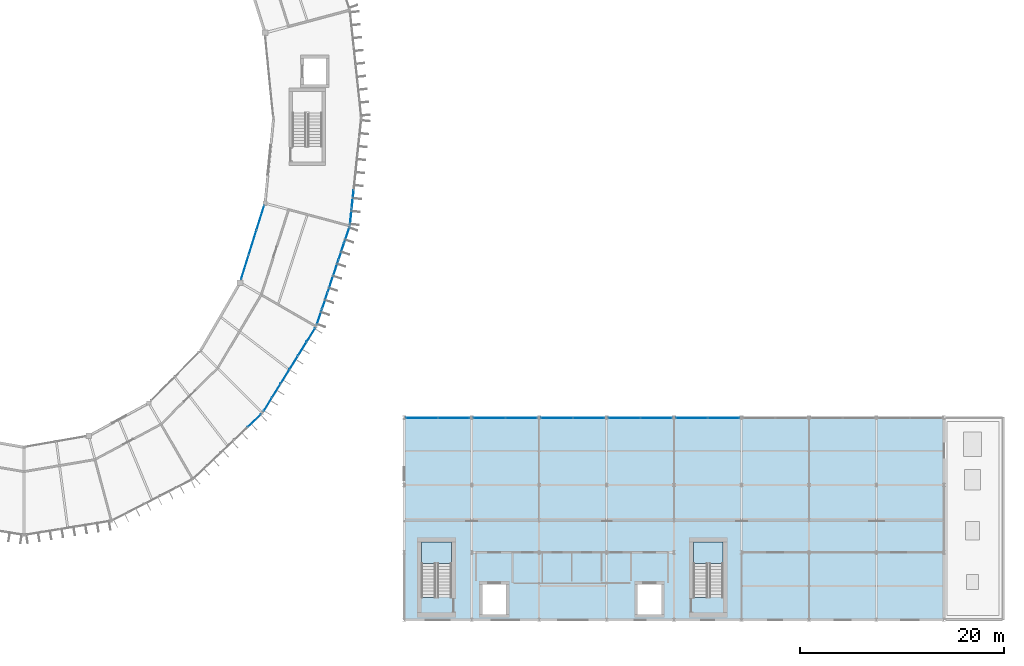
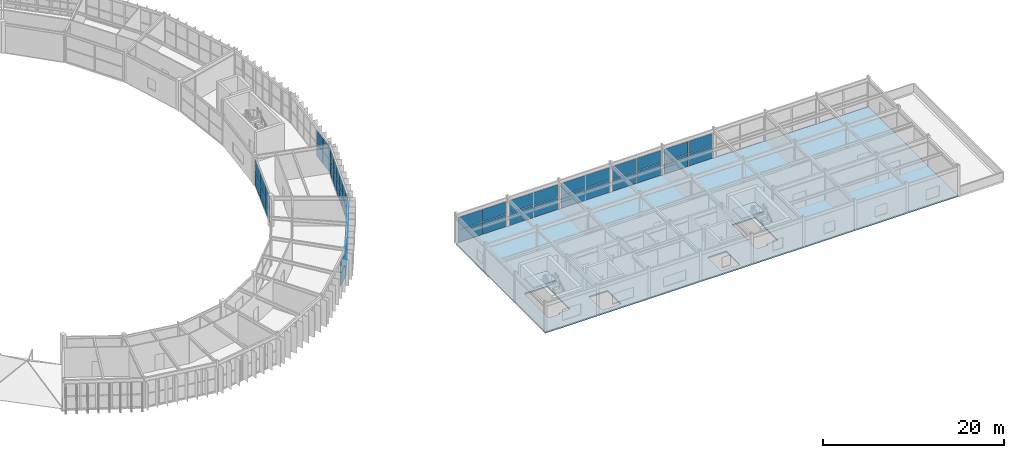
# One storey, part 81 of 106: 56 plates, 3 slabs, 12 elements without a shape of their own.
"""IFC4 building model written with IfcOpenShell, lengths in metres."""

from ifc_helpers import new_model, si_unit, direction, frame, origin, origin_2d, place, context, subcontext, project, spatial, polyline, rectangle, outline, extrude, material, layer, layer_set, type_object, element, aggregate, save


model = new_model("IFC4")

# Units and contexts
model_context = context("Model", 3, precision=1e-05, world=origin(), true_north=direction((0.0, 1.0)))
body_context = subcontext(model_context, "Body", "Model", "MODEL_VIEW")
ifc_project = project(units=[si_unit("LENGTHUNIT", "METRE"), si_unit("AREAUNIT", "SQUARE_METRE"), si_unit("VOLUMEUNIT", "CUBIC_METRE"), si_unit("PLANEANGLEUNIT", "RADIAN"), si_unit("MASSUNIT", "GRAM", prefix="KILO")], contexts=[model_context])

# Site, building, storey
site_placement = place(None, origin())
site = spatial("IfcSite", under=ifc_project, at=site_placement, CompositionType="ELEMENT")
building_placement = place(site_placement, origin())
building = spatial("IfcBuilding", under=site, at=building_placement, Name="Karori Crest Natural Sciences Institute", CompositionType="ELEMENT")
storey_placement = place(building_placement, frame((0.0, 0.0, 25.89990234375)))
storey = spatial("IfcBuildingStorey", under=building, at=storey_placement, Name="L06", CompositionType="ELEMENT", Elevation=25.89990234375)

# Curtain wall, plates
ifc_material_1 = material(Name="Anodised architectural aluminium 6063-T6", Category="aluminium")
curtain_wall_type_1 = type_object("IfcCurtainWallType", Name="CWT-02", PredefinedType="NOTDEFINED", material=ifc_material_1)
curtain_wall_1_placement = place(storey_placement, origin())
curtain_wall_1 = element("IfcCurtainWall", 1, at=curtain_wall_1_placement, inside=storey, type_object=curtain_wall_type_1, Name="Curtain wall CW-0216", PredefinedType="NOTDEFINED")
ifc_material_2 = material(Name="Double low-E laminated glass", Category="glass")
ifc_layer_1 = layer(ifc_material_2, 0.02392578125, Name="Double low-E laminated glass")
ifc_layer_set_1 = layer_set([ifc_layer_1], Name="Double low-E laminated glass")
plate_type_1 = type_object("IfcPlateType", Name="CWP-01", PredefinedType="CURTAIN_PANEL", material=ifc_layer_set_1)
plate_1_placement = place(storey_placement, frame((94.468505859375, 28.677978515625, 0.06005859375), z_axis=(0.0, 0.0, 1.0), x_axis=(-0.527323896352, -0.849664350398, 0.0)))
plate_1 = element("IfcPlate", 2, at=plate_1_placement, type_object=plate_type_1, Name="CW-0216 panel 1.1", PredefinedType="CURTAIN_PANEL", context=body_context, shape_type="SweptSolid", body=[
    extrude(rectangle(XDim=1.51025390625, YDim=0.02392578125, at=origin_2d()), origin(), (0.0, 0.0, 1.0), 1.672607421875),
])
plate_2_placement = place(storey_placement, frame((94.468505859375, 28.677978515625, 1.79248046875), z_axis=(0.0, 0.0, 1.0), x_axis=(-0.527323896352, -0.849664350398, 0.0)))
plate_2 = element("IfcPlate", 3, at=plate_2_placement, type_object=plate_type_1, Name="CW-0216 panel 1.2", PredefinedType="CURTAIN_PANEL", context=body_context, shape_type="SweptSolid", body=[
    extrude(rectangle(XDim=1.51025390625, YDim=0.02392578125, at=origin_2d()), origin(), (0.0, 0.0, 1.0), 1.672607421875),
])
plate_3_placement = place(storey_placement, frame((93.62939453125, 27.32568359375, 0.06005859375), z_axis=(0.0, 0.0, 1.0), x_axis=(-0.527323896352, -0.849664350398, 0.0)))
plate_3 = element("IfcPlate", 4, at=plate_3_placement, type_object=plate_type_1, Name="CW-0216 panel 2.1", PredefinedType="CURTAIN_PANEL", context=body_context, shape_type="SweptSolid", body=[
    extrude(rectangle(XDim=1.542724609375, YDim=0.02392578125, at=origin_2d()), origin(), (0.0, 0.0, 1.0), 1.672607421875),
])
plate_4_placement = place(storey_placement, frame((93.62939453125, 27.32568359375, 1.79248046875), z_axis=(0.0, 0.0, 1.0), x_axis=(-0.527323896352, -0.849664350398, 0.0)))
plate_4 = element("IfcPlate", 5, at=plate_4_placement, type_object=plate_type_1, Name="CW-0216 panel 2.2", PredefinedType="CURTAIN_PANEL", context=body_context, shape_type="SweptSolid", body=[
    extrude(rectangle(XDim=1.542724609375, YDim=0.02392578125, at=origin_2d()), origin(), (0.0, 0.0, 1.0), 1.672607421875),
])
plate_5_placement = place(storey_placement, frame((92.781494140625, 25.95947265625, 0.06005859375), z_axis=(0.0, 0.0, 1.0), x_axis=(-0.527323896352, -0.849664350398, 0.0)))
plate_5 = element("IfcPlate", 6, at=plate_5_placement, type_object=plate_type_1, Name="CW-0216 panel 3.1", PredefinedType="CURTAIN_PANEL", context=body_context, shape_type="SweptSolid", body=[
    extrude(rectangle(XDim=1.542724609375, YDim=0.02392578125, at=origin_2d()), origin(), (0.0, 0.0, 1.0), 1.672607421875),
])
plate_6_placement = place(storey_placement, frame((92.781494140625, 25.95947265625, 1.79248046875), z_axis=(0.0, 0.0, 1.0), x_axis=(-0.527323896352, -0.849664350398, 0.0)))
plate_6 = element("IfcPlate", 7, at=plate_6_placement, type_object=plate_type_1, Name="CW-0216 panel 3.2", PredefinedType="CURTAIN_PANEL", context=body_context, shape_type="SweptSolid", body=[
    extrude(rectangle(XDim=1.542724609375, YDim=0.02392578125, at=origin_2d()), origin(), (0.0, 0.0, 1.0), 1.672607421875),
])
plate_7_placement = place(storey_placement, frame((91.93359375, 24.593505859375, 0.06005859375), z_axis=(0.0, 0.0, 1.0), x_axis=(-0.527323896352, -0.849664350398, 0.0)))
plate_7 = element("IfcPlate", 8, at=plate_7_placement, type_object=plate_type_1, Name="CW-0216 panel 4.1", PredefinedType="CURTAIN_PANEL", context=body_context, shape_type="SweptSolid", body=[
    extrude(rectangle(XDim=1.542724609375, YDim=0.02392578125, at=origin_2d()), origin(), (0.0, 0.0, 1.0), 1.672607421875),
])
plate_8_placement = place(storey_placement, frame((91.93359375, 24.593505859375, 1.79248046875), z_axis=(0.0, 0.0, 1.0), x_axis=(-0.527323896352, -0.849664350398, 0.0)))
plate_8 = element("IfcPlate", 9, at=plate_8_placement, type_object=plate_type_1, Name="CW-0216 panel 4.2", PredefinedType="CURTAIN_PANEL", context=body_context, shape_type="SweptSolid", body=[
    extrude(rectangle(XDim=1.542724609375, YDim=0.02392578125, at=origin_2d()), origin(), (0.0, 0.0, 1.0), 1.672607421875),
])
plate_9_placement = place(storey_placement, frame((91.0859375, 23.227294921875, 0.06005859375), z_axis=(0.0, 0.0, 1.0), x_axis=(-0.527323896352, -0.849664350398, 0.0)))
plate_9 = element("IfcPlate", 10, at=plate_9_placement, type_object=plate_type_1, Name="CW-0216 panel 5.1", PredefinedType="CURTAIN_PANEL", context=body_context, shape_type="SweptSolid", body=[
    extrude(rectangle(XDim=1.542724609375, YDim=0.02392578125, at=origin_2d()), origin(), (0.0, 0.0, 1.0), 1.672607421875),
])
plate_10_placement = place(storey_placement, frame((91.0859375, 23.227294921875, 1.79248046875), z_axis=(0.0, 0.0, 1.0), x_axis=(-0.527323896352, -0.849664350398, 0.0)))
plate_10 = element("IfcPlate", 11, at=plate_10_placement, type_object=plate_type_1, Name="CW-0216 panel 5.2", PredefinedType="CURTAIN_PANEL", context=body_context, shape_type="SweptSolid", body=[
    extrude(rectangle(XDim=1.542724609375, YDim=0.02392578125, at=origin_2d()), origin(), (0.0, 0.0, 1.0), 1.672607421875),
])
plate_11_placement = place(storey_placement, frame((90.24658203125, 21.875244140625, 0.06005859375), z_axis=(0.0, 0.0, 1.0), x_axis=(-0.527323896352, -0.849664350398, 0.0)))
plate_11 = element("IfcPlate", 12, at=plate_11_placement, type_object=plate_type_1, Name="CW-0216 panel 6.1", PredefinedType="CURTAIN_PANEL", context=body_context, shape_type="SweptSolid", body=[
    extrude(rectangle(XDim=1.51025390625, YDim=0.02392578125, at=origin_2d()), origin(), (0.0, 0.0, 1.0), 1.672607421875),
])
plate_12_placement = place(storey_placement, frame((90.24658203125, 21.875244140625, 1.79248046875), z_axis=(0.0, 0.0, 1.0), x_axis=(-0.527323896352, -0.849664350398, 0.0)))
plate_12 = element("IfcPlate", 13, at=plate_12_placement, type_object=plate_type_1, Name="CW-0216 panel 6.2", PredefinedType="CURTAIN_PANEL", context=body_context, shape_type="SweptSolid", body=[
    extrude(rectangle(XDim=1.51025390625, YDim=0.02392578125, at=origin_2d()), origin(), (0.0, 0.0, 1.0), 1.672607421875),
])
aggregate(curtain_wall_1, [plate_1, plate_2, plate_3, plate_4, plate_5, plate_6, plate_7, plate_8, plate_9, plate_10, plate_11, plate_12])

curtain_wall_type_2 = type_object("IfcCurtainWallType", Name="CWT-13", PredefinedType="NOTDEFINED", material=ifc_material_1)
curtain_wall_2_placement = place(storey_placement, origin())
curtain_wall_2 = element("IfcCurtainWall", 14, at=curtain_wall_2_placement, inside=storey, type_object=curtain_wall_type_2, Name="Curtain wall CW-0218", PredefinedType="NOTDEFINED")
plate_13_placement = place(storey_placement, frame((88.003173828125, 35.304443359375, 0.06005859375), z_axis=(0.0, 0.0, 1.0), x_axis=(0.299475254154, 0.954104067778, 0.0)))
plate_13 = element("IfcPlate", 15, at=plate_13_placement, type_object=plate_type_1, Name="CW-0218 panel 1.1", PredefinedType="CURTAIN_PANEL", context=body_context, shape_type="SweptSolid", body=[
    extrude(rectangle(XDim=2.451171875, YDim=0.02392578125, at=origin_2d()), origin(), (0.0, 0.0, 1.0), 1.735107421875),
])
plate_14_placement = place(storey_placement, frame((88.003173828125, 35.304443359375, 1.85498046875), z_axis=(0.0, 0.0, 1.0), x_axis=(0.299475254154, 0.954104067778, 0.0)))
plate_14 = element("IfcPlate", 16, at=plate_14_placement, type_object=plate_type_1, Name="CW-0218 panel 1.2", PredefinedType="CURTAIN_PANEL", context=body_context, shape_type="SweptSolid", body=[
    extrude(rectangle(XDim=2.451171875, YDim=0.02392578125, at=origin_2d()), origin(), (0.0, 0.0, 1.0), 1.735107421875),
])
plate_15_placement = place(storey_placement, frame((88.761474609375, 37.720458984375, 0.06005859375), z_axis=(0.0, 0.0, 1.0), x_axis=(0.299475254154, 0.954104067778, 0.0)))
plate_15 = element("IfcPlate", 17, at=plate_15_placement, type_object=plate_type_1, Name="CW-0218 panel 2.1", PredefinedType="CURTAIN_PANEL", context=body_context, shape_type="SweptSolid", body=[
    extrude(rectangle(XDim=2.483642578125, YDim=0.02392578125, at=origin_2d()), origin(), (0.0, 0.0, 1.0), 1.735107421875),
])
plate_16_placement = place(storey_placement, frame((88.761474609375, 37.720458984375, 1.85498046875), z_axis=(0.0, 0.0, 1.0), x_axis=(0.299475254154, 0.954104067778, 0.0)))
plate_16 = element("IfcPlate", 18, at=plate_16_placement, type_object=plate_type_1, Name="CW-0218 panel 2.2", PredefinedType="CURTAIN_PANEL", context=body_context, shape_type="SweptSolid", body=[
    extrude(rectangle(XDim=2.483642578125, YDim=0.02392578125, at=origin_2d()), origin(), (0.0, 0.0, 1.0), 1.735107421875),
])
plate_17_placement = place(storey_placement, frame((89.52001953125, 40.136474609375, 0.06005859375), z_axis=(0.0, 0.0, 1.0), x_axis=(0.299475254154, 0.954104067778, 0.0)))
plate_17 = element("IfcPlate", 19, at=plate_17_placement, type_object=plate_type_1, Name="CW-0218 panel 3.1", PredefinedType="CURTAIN_PANEL", context=body_context, shape_type="SweptSolid", body=[
    extrude(rectangle(XDim=2.451171875, YDim=0.02392578125, at=origin_2d()), origin(), (0.0, 0.0, 1.0), 1.735107421875),
])
plate_18_placement = place(storey_placement, frame((89.52001953125, 40.136474609375, 1.85498046875), z_axis=(0.0, 0.0, 1.0), x_axis=(0.299475254154, 0.954104067778, 0.0)))
plate_18 = element("IfcPlate", 20, at=plate_18_placement, type_object=plate_type_1, Name="CW-0218 panel 3.2", PredefinedType="CURTAIN_PANEL", context=body_context, shape_type="SweptSolid", body=[
    extrude(rectangle(XDim=2.451171875, YDim=0.02392578125, at=origin_2d()), origin(), (0.0, 0.0, 1.0), 1.735107421875),
])
aggregate(curtain_wall_2, [plate_13, plate_14, plate_15, plate_16, plate_17, plate_18])

curtain_wall_type_3 = type_object("IfcCurtainWallType", Name="CWT-20", PredefinedType="NOTDEFINED", material=ifc_material_1)
curtain_wall_3_placement = place(storey_placement, origin())
curtain_wall_3 = element("IfcCurtainWall", 21, at=curtain_wall_3_placement, inside=storey, type_object=curtain_wall_type_3, Name="Curtain wall CW-0349", PredefinedType="NOTDEFINED")
plate_19_placement = place(storey_placement, frame((105.343017578125, 20.5400390625, 0.06005859375), z_axis=(0.0, 0.0, 1.0), x_axis=(1.0, 0.0, 0.0)))
plate_19 = element("IfcPlate", 22, at=plate_19_placement, type_object=plate_type_1, Name="CW-0349 panel 1.1", PredefinedType="CURTAIN_PANEL", context=body_context, shape_type="SweptSolid", body=[
    extrude(rectangle(XDim=3.049072265625, YDim=0.02392578125, at=origin_2d()), origin(), (0.0, 0.0, 1.0), 1.66259765625),
])
plate_20_placement = place(storey_placement, frame((105.343017578125, 20.5400390625, 1.782470703125), z_axis=(0.0, 0.0, 1.0), x_axis=(1.0, 0.0, 0.0)))
plate_20 = element("IfcPlate", 23, at=plate_20_placement, type_object=plate_type_1, Name="CW-0349 panel 1.2", PredefinedType="CURTAIN_PANEL", context=body_context, shape_type="SweptSolid", body=[
    extrude(rectangle(XDim=3.049072265625, YDim=0.02392578125, at=origin_2d()), origin(), (0.0, 0.0, 1.0), 1.66259765625),
])
plate_21_placement = place(storey_placement, frame((108.45703125, 20.5400390625, 0.06005859375), z_axis=(0.0, 0.0, 1.0), x_axis=(1.0, 0.0, 0.0)))
plate_21 = element("IfcPlate", 24, at=plate_21_placement, type_object=plate_type_1, Name="CW-0349 panel 2.1", PredefinedType="CURTAIN_PANEL", context=body_context, shape_type="SweptSolid", body=[
    extrude(rectangle(XDim=3.049072265625, YDim=0.02392578125, at=origin_2d()), origin(), (0.0, 0.0, 1.0), 1.66259765625),
])
plate_22_placement = place(storey_placement, frame((108.45703125, 20.5400390625, 1.782470703125), z_axis=(0.0, 0.0, 1.0), x_axis=(1.0, 0.0, 0.0)))
plate_22 = element("IfcPlate", 25, at=plate_22_placement, type_object=plate_type_1, Name="CW-0349 panel 2.2", PredefinedType="CURTAIN_PANEL", context=body_context, shape_type="SweptSolid", body=[
    extrude(rectangle(XDim=3.049072265625, YDim=0.02392578125, at=origin_2d()), origin(), (0.0, 0.0, 1.0), 1.66259765625),
])
aggregate(curtain_wall_3, [plate_19, plate_20, plate_21, plate_22])

curtain_wall_4_placement = place(storey_placement, origin())
curtain_wall_4 = element("IfcCurtainWall", 26, at=curtain_wall_4_placement, inside=storey, type_object=curtain_wall_type_3, Name="Curtain wall CW-0350", PredefinedType="NOTDEFINED")
plate_23_placement = place(storey_placement, frame((111.943115234375, 20.5400390625, 0.06005859375), z_axis=(0.0, 0.0, 1.0), x_axis=(1.0, 0.0, 0.0)))
plate_23 = element("IfcPlate", 27, at=plate_23_placement, type_object=plate_type_1, Name="CW-0350 panel 1.1", PredefinedType="CURTAIN_PANEL", context=body_context, shape_type="SweptSolid", body=[
    extrude(rectangle(XDim=3.049072265625, YDim=0.02392578125, at=origin_2d()), origin(), (0.0, 0.0, 1.0), 1.66259765625),
])
plate_24_placement = place(storey_placement, frame((111.943115234375, 20.5400390625, 1.782470703125), z_axis=(0.0, 0.0, 1.0), x_axis=(1.0, 0.0, 0.0)))
plate_24 = element("IfcPlate", 28, at=plate_24_placement, type_object=plate_type_1, Name="CW-0350 panel 1.2", PredefinedType="CURTAIN_PANEL", context=body_context, shape_type="SweptSolid", body=[
    extrude(rectangle(XDim=3.049072265625, YDim=0.02392578125, at=origin_2d()), origin(), (0.0, 0.0, 1.0), 1.66259765625),
])
plate_25_placement = place(storey_placement, frame((115.056884765625, 20.5400390625, 0.06005859375), z_axis=(0.0, 0.0, 1.0), x_axis=(1.0, 0.0, 0.0)))
plate_25 = element("IfcPlate", 29, at=plate_25_placement, type_object=plate_type_1, Name="CW-0350 panel 2.1", PredefinedType="CURTAIN_PANEL", context=body_context, shape_type="SweptSolid", body=[
    extrude(rectangle(XDim=3.049072265625, YDim=0.02392578125, at=origin_2d()), origin(), (0.0, 0.0, 1.0), 1.66259765625),
])
plate_26_placement = place(storey_placement, frame((115.056884765625, 20.5400390625, 1.782470703125), z_axis=(0.0, 0.0, 1.0), x_axis=(1.0, 0.0, 0.0)))
plate_26 = element("IfcPlate", 30, at=plate_26_placement, type_object=plate_type_1, Name="CW-0350 panel 2.2", PredefinedType="CURTAIN_PANEL", context=body_context, shape_type="SweptSolid", body=[
    extrude(rectangle(XDim=3.049072265625, YDim=0.02392578125, at=origin_2d()), origin(), (0.0, 0.0, 1.0), 1.66259765625),
])
aggregate(curtain_wall_4, [plate_23, plate_24, plate_25, plate_26])

curtain_wall_5_placement = place(storey_placement, origin())
curtain_wall_5 = element("IfcCurtainWall", 31, at=curtain_wall_5_placement, inside=storey, type_object=curtain_wall_type_3, Name="Curtain wall CW-0351", PredefinedType="NOTDEFINED")
plate_27_placement = place(storey_placement, frame((118.54296875, 20.5400390625, 0.06005859375), z_axis=(0.0, 0.0, 1.0), x_axis=(1.0, 0.0, 0.0)))
plate_27 = element("IfcPlate", 32, at=plate_27_placement, type_object=plate_type_1, Name="CW-0351 panel 1.1", PredefinedType="CURTAIN_PANEL", context=body_context, shape_type="SweptSolid", body=[
    extrude(rectangle(XDim=3.049072265625, YDim=0.02392578125, at=origin_2d()), origin(), (0.0, 0.0, 1.0), 1.66259765625),
])
plate_28_placement = place(storey_placement, frame((118.54296875, 20.5400390625, 1.782470703125), z_axis=(0.0, 0.0, 1.0), x_axis=(1.0, 0.0, 0.0)))
plate_28 = element("IfcPlate", 33, at=plate_28_placement, type_object=plate_type_1, Name="CW-0351 panel 1.2", PredefinedType="CURTAIN_PANEL", context=body_context, shape_type="SweptSolid", body=[
    extrude(rectangle(XDim=3.049072265625, YDim=0.02392578125, at=origin_2d()), origin(), (0.0, 0.0, 1.0), 1.66259765625),
])
plate_29_placement = place(storey_placement, frame((121.656982421875, 20.5400390625, 0.06005859375), z_axis=(0.0, 0.0, 1.0), x_axis=(1.0, 0.0, 0.0)))
plate_29 = element("IfcPlate", 34, at=plate_29_placement, type_object=plate_type_1, Name="CW-0351 panel 2.1", PredefinedType="CURTAIN_PANEL", context=body_context, shape_type="SweptSolid", body=[
    extrude(rectangle(XDim=3.049072265625, YDim=0.02392578125, at=origin_2d()), origin(), (0.0, 0.0, 1.0), 1.66259765625),
])
plate_30_placement = place(storey_placement, frame((121.656982421875, 20.5400390625, 1.782470703125), z_axis=(0.0, 0.0, 1.0), x_axis=(1.0, 0.0, 0.0)))
plate_30 = element("IfcPlate", 35, at=plate_30_placement, type_object=plate_type_1, Name="CW-0351 panel 2.2", PredefinedType="CURTAIN_PANEL", context=body_context, shape_type="SweptSolid", body=[
    extrude(rectangle(XDim=3.049072265625, YDim=0.02392578125, at=origin_2d()), origin(), (0.0, 0.0, 1.0), 1.66259765625),
])
aggregate(curtain_wall_5, [plate_27, plate_28, plate_29, plate_30])

curtain_wall_6_placement = place(storey_placement, origin())
curtain_wall_6 = element("IfcCurtainWall", 36, at=curtain_wall_6_placement, inside=storey, type_object=curtain_wall_type_3, Name="Curtain wall CW-0352", PredefinedType="NOTDEFINED")
plate_31_placement = place(storey_placement, frame((125.14306640625, 20.5400390625, 0.06005859375), z_axis=(0.0, 0.0, 1.0), x_axis=(1.0, 0.0, 0.0)))
plate_31 = element("IfcPlate", 37, at=plate_31_placement, type_object=plate_type_1, Name="CW-0352 panel 1.1", PredefinedType="CURTAIN_PANEL", context=body_context, shape_type="SweptSolid", body=[
    extrude(rectangle(XDim=3.049072265625, YDim=0.02392578125, at=origin_2d()), origin(), (0.0, 0.0, 1.0), 1.66259765625),
])
plate_32_placement = place(storey_placement, frame((125.14306640625, 20.5400390625, 1.782470703125), z_axis=(0.0, 0.0, 1.0), x_axis=(1.0, 0.0, 0.0)))
plate_32 = element("IfcPlate", 38, at=plate_32_placement, type_object=plate_type_1, Name="CW-0352 panel 1.2", PredefinedType="CURTAIN_PANEL", context=body_context, shape_type="SweptSolid", body=[
    extrude(rectangle(XDim=3.049072265625, YDim=0.02392578125, at=origin_2d()), origin(), (0.0, 0.0, 1.0), 1.66259765625),
])
plate_33_placement = place(storey_placement, frame((128.257080078125, 20.5400390625, 0.06005859375), z_axis=(0.0, 0.0, 1.0), x_axis=(1.0, 0.0, 0.0)))
plate_33 = element("IfcPlate", 39, at=plate_33_placement, type_object=plate_type_1, Name="CW-0352 panel 2.1", PredefinedType="CURTAIN_PANEL", context=body_context, shape_type="SweptSolid", body=[
    extrude(rectangle(XDim=3.049072265625, YDim=0.02392578125, at=origin_2d()), origin(), (0.0, 0.0, 1.0), 1.66259765625),
])
plate_34_placement = place(storey_placement, frame((128.257080078125, 20.5400390625, 1.782470703125), z_axis=(0.0, 0.0, 1.0), x_axis=(1.0, 0.0, 0.0)))
plate_34 = element("IfcPlate", 40, at=plate_34_placement, type_object=plate_type_1, Name="CW-0352 panel 2.2", PredefinedType="CURTAIN_PANEL", context=body_context, shape_type="SweptSolid", body=[
    extrude(rectangle(XDim=3.049072265625, YDim=0.02392578125, at=origin_2d()), origin(), (0.0, 0.0, 1.0), 1.66259765625),
])
aggregate(curtain_wall_6, [plate_31, plate_32, plate_33, plate_34])

curtain_wall_7_placement = place(storey_placement, origin())
curtain_wall_7 = element("IfcCurtainWall", 41, at=curtain_wall_7_placement, inside=storey, type_object=curtain_wall_type_3, Name="Curtain wall CW-0353", PredefinedType="NOTDEFINED")
plate_35_placement = place(storey_placement, frame((131.742919921875, 20.5400390625, 0.06005859375), z_axis=(0.0, 0.0, 1.0), x_axis=(1.0, 0.0, 0.0)))
plate_35 = element("IfcPlate", 42, at=plate_35_placement, type_object=plate_type_1, Name="CW-0353 panel 1.1", PredefinedType="CURTAIN_PANEL", context=body_context, shape_type="SweptSolid", body=[
    extrude(rectangle(XDim=3.049072265625, YDim=0.02392578125, at=origin_2d()), origin(), (0.0, 0.0, 1.0), 1.66259765625),
])
plate_36_placement = place(storey_placement, frame((131.742919921875, 20.5400390625, 1.782470703125), z_axis=(0.0, 0.0, 1.0), x_axis=(1.0, 0.0, 0.0)))
plate_36 = element("IfcPlate", 43, at=plate_36_placement, type_object=plate_type_1, Name="CW-0353 panel 1.2", PredefinedType="CURTAIN_PANEL", context=body_context, shape_type="SweptSolid", body=[
    extrude(rectangle(XDim=3.049072265625, YDim=0.02392578125, at=origin_2d()), origin(), (0.0, 0.0, 1.0), 1.66259765625),
])
plate_37_placement = place(storey_placement, frame((134.85693359375, 20.5400390625, 0.06005859375), z_axis=(0.0, 0.0, 1.0), x_axis=(1.0, 0.0, 0.0)))
plate_37 = element("IfcPlate", 44, at=plate_37_placement, type_object=plate_type_1, Name="CW-0353 panel 2.1", PredefinedType="CURTAIN_PANEL", context=body_context, shape_type="SweptSolid", body=[
    extrude(rectangle(XDim=3.049072265625, YDim=0.02392578125, at=origin_2d()), origin(), (0.0, 0.0, 1.0), 1.66259765625),
])
plate_38_placement = place(storey_placement, frame((134.85693359375, 20.5400390625, 1.782470703125), z_axis=(0.0, 0.0, 1.0), x_axis=(1.0, 0.0, 0.0)))
plate_38 = element("IfcPlate", 45, at=plate_38_placement, type_object=plate_type_1, Name="CW-0353 panel 2.2", PredefinedType="CURTAIN_PANEL", context=body_context, shape_type="SweptSolid", body=[
    extrude(rectangle(XDim=3.049072265625, YDim=0.02392578125, at=origin_2d()), origin(), (0.0, 0.0, 1.0), 1.66259765625),
])
aggregate(curtain_wall_7, [plate_35, plate_36, plate_37, plate_38])

curtain_wall_type_4 = type_object("IfcCurtainWallType", Name="CWT-03", PredefinedType="NOTDEFINED", material=ifc_material_1)
curtain_wall_8_placement = place(storey_placement, origin())
curtain_wall_8 = element("IfcCurtainWall", 46, at=curtain_wall_8_placement, inside=storey, type_object=curtain_wall_type_4, Name="Curtain wall CW-0217", PredefinedType="NOTDEFINED")
ifc_layer_2 = layer(ifc_material_2, 0.033935546875, Name="Double low-E laminated glass")
ifc_layer_set_2 = layer_set([ifc_layer_2], Name="Double low-E laminated glass")
plate_type_2 = type_object("IfcPlateType", Name="CWP-02", PredefinedType="CURTAIN_PANEL", material=ifc_layer_set_2)
plate_39_placement = place(storey_placement, frame((97.974853515625, 38.442626953125, 0.06494140625), z_axis=(0.0, 0.0, 1.0), x_axis=(-0.317679803392, -0.94819805026, 0.0)))
plate_39 = element("IfcPlate", 47, at=plate_39_placement, type_object=plate_type_2, Name="CW-0217 panel 1.1", PredefinedType="CURTAIN_PANEL", context=body_context, shape_type="SweptSolid", body=[
    extrude(rectangle(XDim=1.59619140625, YDim=0.033935546875, at=origin_2d()), origin(), (0.0, 0.0, 1.0), 1.715087890625),
])
plate_40_placement = place(storey_placement, frame((97.974853515625, 38.442626953125, 1.84521484375), z_axis=(0.0, 0.0, 1.0), x_axis=(-0.317679803392, -0.94819805026, 0.0)))
plate_40 = element("IfcPlate", 48, at=plate_40_placement, type_object=plate_type_2, Name="CW-0217 panel 1.2", PredefinedType="CURTAIN_PANEL", context=body_context, shape_type="SweptSolid", body=[
    extrude(rectangle(XDim=1.59619140625, YDim=0.033935546875, at=origin_2d()), origin(), (0.0, 0.0, 1.0), 1.715087890625),
])
plate_41_placement = place(storey_placement, frame((97.44189453125, 36.85205078125, 0.06494140625), z_axis=(0.0, 0.0, 1.0), x_axis=(-0.317679803392, -0.94819805026, 0.0)))
plate_41 = element("IfcPlate", 49, at=plate_41_placement, type_object=plate_type_2, Name="CW-0217 panel 2.1", PredefinedType="CURTAIN_PANEL", context=body_context, shape_type="SweptSolid", body=[
    extrude(rectangle(XDim=1.628662109375, YDim=0.033935546875, at=origin_2d()), origin(), (0.0, 0.0, 1.0), 1.715087890625),
])
plate_42_placement = place(storey_placement, frame((97.44189453125, 36.85205078125, 1.84521484375), z_axis=(0.0, 0.0, 1.0), x_axis=(-0.317679803392, -0.94819805026, 0.0)))
plate_42 = element("IfcPlate", 50, at=plate_42_placement, type_object=plate_type_2, Name="CW-0217 panel 2.2", PredefinedType="CURTAIN_PANEL", context=body_context, shape_type="SweptSolid", body=[
    extrude(rectangle(XDim=1.628662109375, YDim=0.033935546875, at=origin_2d()), origin(), (0.0, 0.0, 1.0), 1.715087890625),
])
plate_43_placement = place(storey_placement, frame((96.904052734375, 35.24609375, 0.06494140625), z_axis=(0.0, 0.0, 1.0), x_axis=(-0.317679803392, -0.94819805026, 0.0)))
plate_43 = element("IfcPlate", 51, at=plate_43_placement, type_object=plate_type_2, Name="CW-0217 panel 3.1", PredefinedType="CURTAIN_PANEL", context=body_context, shape_type="SweptSolid", body=[
    extrude(rectangle(XDim=1.628662109375, YDim=0.033935546875, at=origin_2d()), origin(), (0.0, 0.0, 1.0), 1.715087890625),
])
plate_44_placement = place(storey_placement, frame((96.904052734375, 35.24609375, 1.84521484375), z_axis=(0.0, 0.0, 1.0), x_axis=(-0.317679803392, -0.94819805026, 0.0)))
plate_44 = element("IfcPlate", 52, at=plate_44_placement, type_object=plate_type_2, Name="CW-0217 panel 3.2", PredefinedType="CURTAIN_PANEL", context=body_context, shape_type="SweptSolid", body=[
    extrude(rectangle(XDim=1.628662109375, YDim=0.033935546875, at=origin_2d()), origin(), (0.0, 0.0, 1.0), 1.715087890625),
])
plate_45_placement = place(storey_placement, frame((96.365966796875, 33.64013671875, 0.06494140625), z_axis=(0.0, 0.0, 1.0), x_axis=(-0.317679803392, -0.94819805026, 0.0)))
plate_45 = element("IfcPlate", 53, at=plate_45_placement, type_object=plate_type_2, Name="CW-0217 panel 4.1", PredefinedType="CURTAIN_PANEL", context=body_context, shape_type="SweptSolid", body=[
    extrude(rectangle(XDim=1.628662109375, YDim=0.033935546875, at=origin_2d()), origin(), (0.0, 0.0, 1.0), 1.715087890625),
])
plate_46_placement = place(storey_placement, frame((96.365966796875, 33.64013671875, 1.84521484375), z_axis=(0.0, 0.0, 1.0), x_axis=(-0.317679803392, -0.94819805026, 0.0)))
plate_46 = element("IfcPlate", 54, at=plate_46_placement, type_object=plate_type_2, Name="CW-0217 panel 4.2", PredefinedType="CURTAIN_PANEL", context=body_context, shape_type="SweptSolid", body=[
    extrude(rectangle(XDim=1.628662109375, YDim=0.033935546875, at=origin_2d()), origin(), (0.0, 0.0, 1.0), 1.715087890625),
])
plate_47_placement = place(storey_placement, frame((95.827880859375, 32.0341796875, 0.06494140625), z_axis=(0.0, 0.0, 1.0), x_axis=(-0.317679803392, -0.94819805026, 0.0)))
plate_47 = element("IfcPlate", 55, at=plate_47_placement, type_object=plate_type_2, Name="CW-0217 panel 5.1", PredefinedType="CURTAIN_PANEL", context=body_context, shape_type="SweptSolid", body=[
    extrude(rectangle(XDim=1.628662109375, YDim=0.033935546875, at=origin_2d()), origin(), (0.0, 0.0, 1.0), 1.715087890625),
])
plate_48_placement = place(storey_placement, frame((95.827880859375, 32.0341796875, 1.84521484375), z_axis=(0.0, 0.0, 1.0), x_axis=(-0.317679803392, -0.94819805026, 0.0)))
plate_48 = element("IfcPlate", 56, at=plate_48_placement, type_object=plate_type_2, Name="CW-0217 panel 5.2", PredefinedType="CURTAIN_PANEL", context=body_context, shape_type="SweptSolid", body=[
    extrude(rectangle(XDim=1.628662109375, YDim=0.033935546875, at=origin_2d()), origin(), (0.0, 0.0, 1.0), 1.715087890625),
])
plate_49_placement = place(storey_placement, frame((95.294921875, 30.443603515625, 0.06494140625), z_axis=(0.0, 0.0, 1.0), x_axis=(-0.317679803392, -0.94819805026, 0.0)))
plate_49 = element("IfcPlate", 57, at=plate_49_placement, type_object=plate_type_2, Name="CW-0217 panel 6.1", PredefinedType="CURTAIN_PANEL", context=body_context, shape_type="SweptSolid", body=[
    extrude(rectangle(XDim=1.59619140625, YDim=0.033935546875, at=origin_2d()), origin(), (0.0, 0.0, 1.0), 1.715087890625),
])
plate_50_placement = place(storey_placement, frame((95.294921875, 30.443603515625, 1.84521484375), z_axis=(0.0, 0.0, 1.0), x_axis=(-0.317679803392, -0.94819805026, 0.0)))
plate_50 = element("IfcPlate", 58, at=plate_50_placement, type_object=plate_type_2, Name="CW-0217 panel 6.2", PredefinedType="CURTAIN_PANEL", context=body_context, shape_type="SweptSolid", body=[
    extrude(rectangle(XDim=1.59619140625, YDim=0.033935546875, at=origin_2d()), origin(), (0.0, 0.0, 1.0), 1.715087890625),
])
aggregate(curtain_wall_8, [plate_39, plate_40, plate_41, plate_42, plate_43, plate_44, plate_45, plate_46, plate_47, plate_48, plate_49, plate_50])

curtain_wall_type_5 = type_object("IfcCurtainWallType", Name="CWT-01", PredefinedType="NOTDEFINED", material=ifc_material_1)
curtain_wall_9_placement = place(storey_placement, origin())
curtain_wall_9 = element("IfcCurtainWall", 59, at=curtain_wall_9_placement, inside=storey, type_object=curtain_wall_type_5, Name="Curtain wall CW-0214", PredefinedType="NOTDEFINED")
ifc_layer_3 = layer(ifc_material_2, 0.0439453125, Name="Double low-E laminated glass")
ifc_layer_set_3 = layer_set([ifc_layer_3], Name="Double low-E laminated glass")
plate_type_3 = type_object("IfcPlateType", Name="CWP-03", PredefinedType="CURTAIN_PANEL", material=ifc_layer_set_3)
plate_51_placement = place(storey_placement, frame((88.932861328125, 20.28955078125, 0.065185546875), z_axis=(0.0, 0.0, 1.0), x_axis=(-0.725473081026, -0.688250542104, 0.0)))
plate_51 = element("IfcPlate", 60, at=plate_51_placement, type_object=plate_type_3, Name="CW-0214 panel 1.1", PredefinedType="CURTAIN_PANEL", context=body_context, shape_type="SweptSolid", body=[
    extrude(rectangle(XDim=1.73095703125, YDim=0.0439453125, at=origin_2d()), origin(), (0.0, 0.0, 1.0), 1.6650390625),
])
plate_52_placement = place(storey_placement, frame((88.932861328125, 20.28955078125, 1.795166015625), z_axis=(0.0, 0.0, 1.0), x_axis=(-0.725473081026, -0.688250542104, 0.0)))
plate_52 = element("IfcPlate", 61, at=plate_52_placement, type_object=plate_type_3, Name="CW-0214 panel 1.2", PredefinedType="CURTAIN_PANEL", context=body_context, shape_type="SweptSolid", body=[
    extrude(rectangle(XDim=1.73095703125, YDim=0.0439453125, at=origin_2d()), origin(), (0.0, 0.0, 1.0), 1.6650390625),
])
aggregate(curtain_wall_9, [plate_51, plate_52])

curtain_wall_type_6 = type_object("IfcCurtainWallType", Name="CWT-04", PredefinedType="NOTDEFINED", material=ifc_material_1)
curtain_wall_10_placement = place(storey_placement, origin())
curtain_wall_10 = element("IfcCurtainWall", 62, at=curtain_wall_10_placement, inside=storey, type_object=curtain_wall_type_6, Name="Curtain wall CW-0219", PredefinedType="NOTDEFINED")
plate_53_placement = place(storey_placement, frame((98.5595703125, 42.007568359375, 0.06005859375), z_axis=(0.0, 0.0, 1.0), x_axis=(-0.105885677057, -0.994378309998, 0.0)))
plate_53 = element("IfcPlate", 63, at=plate_53_placement, type_object=plate_type_3, Name="CW-0219 panel 5.1", PredefinedType="CURTAIN_PANEL", context=body_context, shape_type="SweptSolid", body=[
    extrude(rectangle(XDim=1.670166015625, YDim=0.0439453125, at=origin_2d()), origin(), (0.0, 0.0, 1.0), 1.722412109375),
])
plate_54_placement = place(storey_placement, frame((98.5595703125, 42.007568359375, 1.8427734375), z_axis=(0.0, 0.0, 1.0), x_axis=(-0.105885677057, -0.994378309998, 0.0)))
plate_54 = element("IfcPlate", 64, at=plate_54_placement, type_object=plate_type_3, Name="CW-0219 panel 5.2", PredefinedType="CURTAIN_PANEL", context=body_context, shape_type="SweptSolid", body=[
    extrude(rectangle(XDim=1.670166015625, YDim=0.0439453125, at=origin_2d()), origin(), (0.0, 0.0, 1.0), 1.722412109375),
])
plate_55_placement = place(storey_placement, frame((98.377685546875, 40.298095703125, 0.06005859375), z_axis=(0.0, 0.0, 1.0), x_axis=(-0.105885677057, -0.994378309998, 0.0)))
plate_55 = element("IfcPlate", 65, at=plate_55_placement, type_object=plate_type_3, Name="CW-0219 panel 6.1", PredefinedType="CURTAIN_PANEL", context=body_context, shape_type="SweptSolid", body=[
    extrude(rectangle(XDim=1.6376953125, YDim=0.0439453125, at=origin_2d()), origin(), (0.0, 0.0, 1.0), 1.722412109375),
])
plate_56_placement = place(storey_placement, frame((98.377685546875, 40.298095703125, 1.8427734375), z_axis=(0.0, 0.0, 1.0), x_axis=(-0.105885677057, -0.994378309998, 0.0)))
plate_56 = element("IfcPlate", 66, at=plate_56_placement, type_object=plate_type_3, Name="CW-0219 panel 6.2", PredefinedType="CURTAIN_PANEL", context=body_context, shape_type="SweptSolid", body=[
    extrude(rectangle(XDim=1.6376953125, YDim=0.0439453125, at=origin_2d()), origin(), (0.0, 0.0, 1.0), 1.722412109375),
])
aggregate(curtain_wall_10, [plate_53, plate_54, plate_55, plate_56])

# Slab
ifc_material_3 = material(Name="Concrete 40 MPa", Category="concrete")
ifc_layer_4 = layer(ifc_material_3, 0.179931640625, Name="Concrete 40 MPa")
ifc_layer_set_4 = layer_set([ifc_layer_4], Name="Concrete 40 MPa")
slab_type_1 = type_object("IfcSlabType", Name="SLT-09", PredefinedType="FLOOR", material=ifc_layer_set_4)
slab_1_placement = place(storey_placement, frame((0.0, 0.0, -0.179931640625)))
element("IfcSlab", 67, at=slab_1_placement, inside=storey, type_object=slab_type_1, Name="V5 Slab SL-0169", PredefinedType="FLOOR", context=body_context, shape_type="SweptSolid", body=[
    extrude(outline(polyline([(103.60009765625, 0.800048828125), (156.39990234375, 0.800048828125), (156.39990234375, 20.60009765625), (103.60009765625, 20.60009765625), (103.60009765625, 0.800048828125)]), holes=[polyline([(108.199951171875, 3.280029296875), (106.75, 3.280029296875), (106.75, 3.00048828125), (105.300048828125, 3.00048828125), (105.300048828125, 8.39990234375), (108.199951171875, 8.39990234375), (108.199951171875, 3.280029296875)]), polyline([(134.800048828125, 3.280029296875), (133.35009765625, 3.280029296875), (133.35009765625, 3.00048828125), (131.89990234375, 3.00048828125), (131.89990234375, 8.39990234375), (134.800048828125, 8.39990234375), (134.800048828125, 3.280029296875)]), polyline([(111.199951171875, 4.300048828125), (113.60009765625, 4.300048828125), (113.60009765625, 1.300048828125), (111.199951171875, 1.300048828125), (111.199951171875, 4.300048828125)]), polyline([(126.39990234375, 4.300048828125), (128.800048828125, 4.300048828125), (128.800048828125, 1.300048828125), (126.39990234375, 1.300048828125), (126.39990234375, 4.300048828125)])]), origin(), (0.0, 0.0, 1.0), 0.179931640625),
])

# Stair, slab
stair_type = type_object("IfcStairType", Name="STT-01", PredefinedType="HALF_TURN_STAIR", material=ifc_material_3)
stair_1_placement = place(storey_placement, origin())
stair_1 = element("IfcStair", 68, at=stair_1_placement, inside=storey, type_object=stair_type, Name="Protected stair ST-03-L06", PredefinedType="HALF_TURN_STAIR")
ifc_layer_5 = layer(ifc_material_3, 0.2099609375, Name="Concrete 40 MPa")
ifc_layer_set_5 = layer_set([ifc_layer_5], Name="Concrete 40 MPa")
slab_type_2 = type_object("IfcSlabType", Name="SLT-11", PredefinedType="LANDING", material=ifc_layer_set_5)
slab_2_placement = place(storey_placement, frame((0.0, 0.0, 1.89013671875)))
slab_2 = element("IfcSlab", 69, at=slab_2_placement, type_object=slab_type_2, Name="ST-03-L06 landing 1", PredefinedType="LANDING", context=body_context, shape_type="SweptSolid", body=[
    extrude(outline(polyline([(108.199951171875, 6.300048828125), (108.199951171875, 8.39990234375), (105.300048828125, 8.39990234375), (105.300048828125, 6.300048828125), (108.199951171875, 6.300048828125)])), origin(), (0.0, 0.0, 1.0), 0.2099609375),
])
aggregate(stair_1, [slab_2])

stair_2_placement = place(storey_placement, origin())
stair_2 = element("IfcStair", 70, at=stair_2_placement, inside=storey, type_object=stair_type, Name="Protected stair ST-04-L06", PredefinedType="HALF_TURN_STAIR")
slab_3_placement = place(storey_placement, frame((0.0, 0.0, 1.89013671875)))
slab_3 = element("IfcSlab", 71, at=slab_3_placement, type_object=slab_type_2, Name="ST-04-L06 landing 1", PredefinedType="LANDING", context=body_context, shape_type="SweptSolid", body=[
    extrude(outline(polyline([(134.800048828125, 6.300048828125), (134.800048828125, 8.39990234375), (131.89990234375, 8.39990234375), (131.89990234375, 6.300048828125), (134.800048828125, 6.300048828125)])), origin(), (0.0, 0.0, 1.0), 0.2099609375),
])
aggregate(stair_2, [slab_3])

save(model, "model.ifc")
